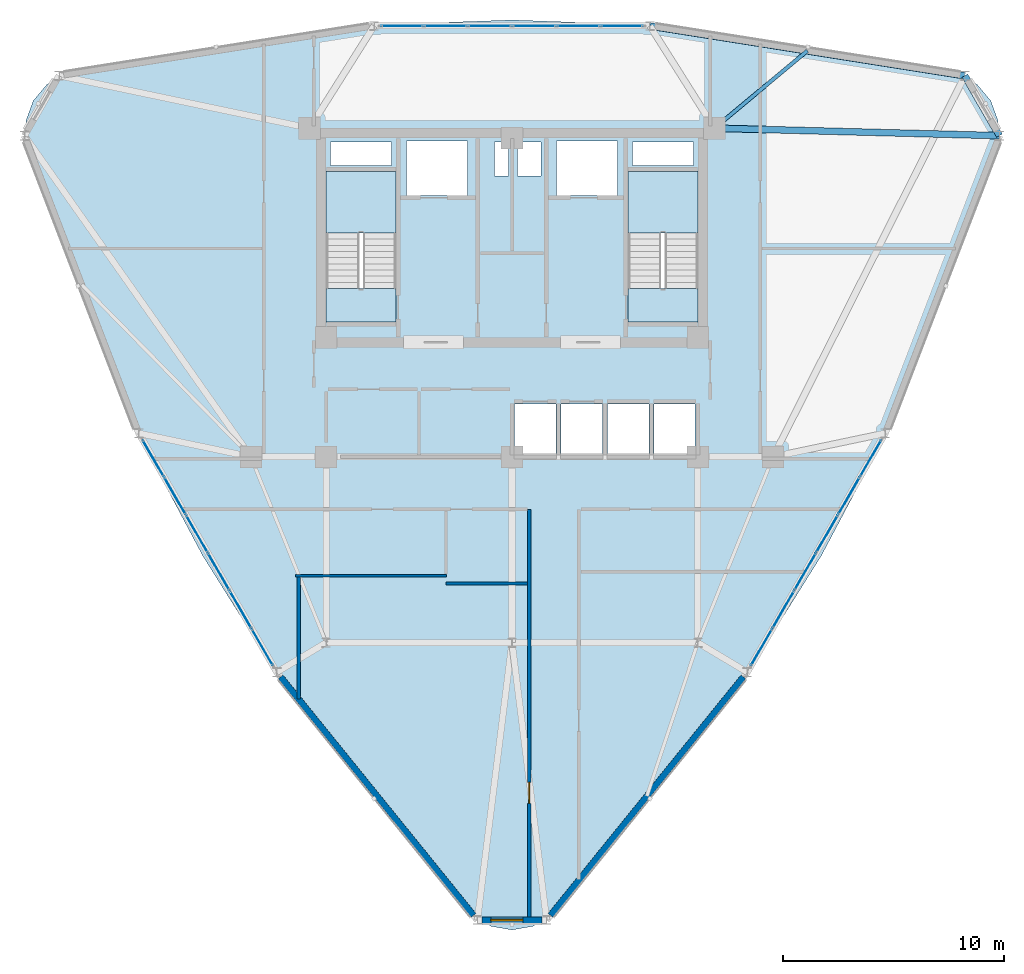
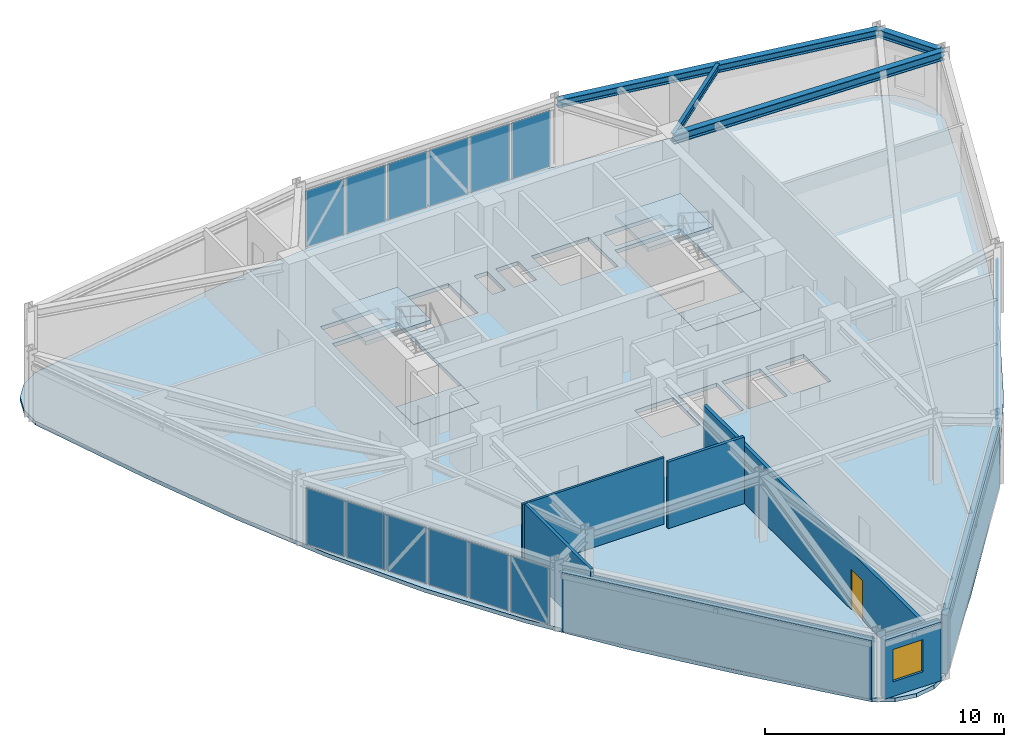
# One storey, part 9 of 14: 18 plates, 7 walls, 5 slabs, 4 beams, 1 door, 1 window, 2 openings, 5 elements without a shape of their own.
"""IFC4 building model written with IfcOpenShell, lengths in metres."""

import ifcopenshell
import ifcopenshell.guid

model = None  # the IFC model being written
_history = None  # IfcOwnerHistory: only IFC2X3 demands one
_inside = {}  # id of a spatial element -> (the spatial element, [elements in it])
_under = {}  # id of a project, library or spatial element -> (it, [spatial elements below it])
_declared = {}  # id of a project -> (the project, [libraries it declares])
_typed = {}  # id of a type object -> (the type object, [elements of that type])
_made_of = {}  # id of a material, layer set ... -> (it, [elements and type objects made of it])


def new_model(schema):
    """Start an empty IFC model of exactly this schema.

    Asked for "IFC4X3", IfcOpenShell would pick the latest addendum, in which some entities
    have other attributes; the version numbers below select the first issue.
    IFC2X3 requires an IfcOwnerHistory on every rooted entity: one is made here for all.
    """
    global model, _history
    if schema == "IFC4X3":
        model = ifcopenshell.file(schema_version=(4, 3, 0, 0))
    else:
        model = ifcopenshell.file(schema=schema)
    _inside.clear()
    _under.clear()
    _declared.clear()
    _typed.clear()
    _made_of.clear()
    _history = None
    if model.schema == "IFC2X3":
        org = make("IfcOrganization", Name="unknown")
        user = make(
            "IfcPersonAndOrganization",
            ThePerson=make("IfcPerson", FamilyName="unknown"),
            TheOrganization=org,
        )
        app = make(
            "IfcApplication",
            ApplicationDeveloper=org,
            Version="unknown",
            ApplicationFullName="unknown",
            ApplicationIdentifier="unknown",
        )
        _history = make(
            "IfcOwnerHistory",
            OwningUser=user,
            OwningApplication=app,
            ChangeAction="ADDED",
            CreationDate=0,
        )
    return model


def make(cls, **values):
    """One entity of the class cls with the attributes given. An attribute that is None is left unset."""
    return model.create_entity(
        cls, **{name: value for name, value in values.items() if value is not None}
    )


def rooted(cls, **values):
    """An entity with a GlobalId (a new one), such as an element, a storey or a relation."""
    return make(cls, GlobalId=ifcopenshell.guid.new(), OwnerHistory=_history, **values)


def si_unit(unit_type, name, prefix=None):
    """IfcSIUnit, for example si_unit("LENGTHUNIT", "METRE", prefix="MILLI")."""
    return make("IfcSIUnit", UnitType=unit_type, Prefix=prefix, Name=name)


def derived_unit(unit_type, elements):
    """IfcDerivedUnit: a product of units, each with its exponent."""
    return make(
        "IfcDerivedUnit",
        Elements=[
            make("IfcDerivedUnitElement", Unit=unit, Exponent=power)
            for unit, power in elements
        ],
        UnitType=unit_type,
    )


def assignment(units):
    """IfcUnitAssignment: the units of a project."""
    return None if units is None else make("IfcUnitAssignment", Units=units)


def point(xyz):
    """IfcCartesianPoint."""
    return None if xyz is None else make("IfcCartesianPoint", Coordinates=xyz)


def direction(xyz):
    """IfcDirection."""
    return None if xyz is None else make("IfcDirection", DirectionRatios=xyz)


def frame(location, z_axis=None, x_axis=None):
    """IfcAxis2Placement3D, a coordinate frame: its origin and axes. An axis left out is left unset."""
    return make(
        "IfcAxis2Placement3D",
        Location=point(location),
        Axis=direction(z_axis),
        RefDirection=direction(x_axis),
    )


def frame_2d(location, x_axis=None):
    """IfcAxis2Placement2D, a coordinate frame in the plane: its origin and x axis."""
    return make(
        "IfcAxis2Placement2D", Location=point(location), RefDirection=direction(x_axis)
    )


def origin():
    """The frame at (0, 0, 0) with its axes left unset."""
    return frame((0.0, 0.0, 0.0))


def origin_2d():
    """The frame at (0, 0) in the plane with its x axis left unset."""
    return frame_2d((0.0, 0.0))


def place(relative_to, where):
    """IfcLocalPlacement: puts the frame where relative to a parent placement (None: the world)."""
    return make(
        "IfcLocalPlacement", PlacementRelTo=relative_to, RelativePlacement=where
    )


def context(
    kind, dimensions, precision=None, world=None, true_north=None, identifier=None
):
    """IfcGeometricRepresentationContext, for example the 3D "Model" context."""
    return make(
        "IfcGeometricRepresentationContext",
        ContextIdentifier=identifier,
        ContextType=kind,
        CoordinateSpaceDimension=dimensions,
        Precision=precision,
        WorldCoordinateSystem=world,
        TrueNorth=true_north,
    )


def subcontext(parent, identifier, kind, view, scale=None):
    """IfcGeometricRepresentationSubContext, for example "Body" below "Model"."""
    return make(
        "IfcGeometricRepresentationSubContext",
        ContextIdentifier=identifier,
        ContextType=kind,
        ParentContext=parent,
        TargetScale=scale,
        TargetView=view,
    )


def project(units=None, contexts=None):
    """IfcProject with its units and contexts."""
    return rooted(
        "IfcProject",
        Name="project",
        RepresentationContexts=contexts,
        UnitsInContext=assignment(units),
    )


def spatial(cls, under=None, at=None, **own):
    """A site, building, storey or space (cls), placed at a placement, below another one or the project."""
    s = rooted(cls, ObjectPlacement=at, **own)
    if under is not None:
        _under.setdefault(under.id(), (under, []))[1].append(s)
    return s


def polyline(points):
    """IfcPolyline through the points."""
    return make("IfcPolyline", Points=[point(p) for p in points])


def profile(cls, at=None, kind="AREA", **sizes):
    """A parametric profile (cls). Its sizes go by their IFC names, for example OverallWidth=200.0."""
    return make(cls, ProfileType=kind, Position=at, **sizes)


def rectangle(**sizes):
    """IfcRectangleProfileDef."""
    return profile("IfcRectangleProfileDef", **sizes)


def i_section(**sizes):
    """IfcIShapeProfileDef."""
    return profile("IfcIShapeProfileDef", **sizes)


def outline(outer, holes=None, kind="AREA"):
    """IfcArbitraryClosedProfileDef: a profile drawn as a closed curve; with holes, ...WithVoids."""
    if holes is None:
        return make("IfcArbitraryClosedProfileDef", ProfileType=kind, OuterCurve=outer)
    return make(
        "IfcArbitraryProfileDefWithVoids",
        ProfileType=kind,
        OuterCurve=outer,
        InnerCurves=holes,
    )


def extrude(swept, where, along, depth):
    """IfcExtrudedAreaSolid: the profile swept, set in the frame where, extruded along a direction by depth."""
    return make(
        "IfcExtrudedAreaSolid",
        SweptArea=swept,
        Position=where,
        ExtrudedDirection=direction(along),
        Depth=depth,
    )


def shape(context_of_items, identifier, shape_type, items):
    """IfcShapeRepresentation: the items that make up one representation, for example the "Body"."""
    return make(
        "IfcShapeRepresentation",
        ContextOfItems=context_of_items,
        RepresentationIdentifier=identifier,
        RepresentationType=shape_type,
        Items=items,
    )


def source(mapping_origin, context_of_items, identifier, shape_type, items):
    """IfcRepresentationMap: a shape defined once, which mapped items show again and again."""
    return make(
        "IfcRepresentationMap",
        MappingOrigin=mapping_origin,
        MappedRepresentation=shape(context_of_items, identifier, shape_type, items),
    )


def transform(
    local_origin,
    x_axis=None,
    y_axis=None,
    z_axis=None,
    scale=None,
    scale2=None,
    scale3=None,
    uniform=True,
):
    """IfcCartesianTransformationOperator3D, or its non-uniform kind. x_axis, y_axis, z_axis: its Axis1, 2, 3."""
    if uniform:
        return make(
            "IfcCartesianTransformationOperator3D",
            Axis1=direction(x_axis),
            Axis2=direction(y_axis),
            LocalOrigin=point(local_origin),
            Scale=scale,
            Axis3=direction(z_axis),
        )
    return make(
        "IfcCartesianTransformationOperator3DnonUniform",
        Axis1=direction(x_axis),
        Axis2=direction(y_axis),
        LocalOrigin=point(local_origin),
        Scale=scale,
        Axis3=direction(z_axis),
        Scale2=scale2,
        Scale3=scale3,
    )


def mapped(mapping_source, mapping_target):
    """IfcMappedItem: shows the shape of a source again, moved by a transform."""
    return make(
        "IfcMappedItem", MappingSource=mapping_source, MappingTarget=mapping_target
    )


def material(Name=None, Category=None):
    """IfcMaterial."""
    return make("IfcMaterial", Name=Name, Category=Category)


def layer(
    of_material, thickness, ventilated=None, Name=None, Category=None, Priority=None
):
    """IfcMaterialLayer: one layer of a wall or slab, of a material (None: an air gap)."""
    return make(
        "IfcMaterialLayer",
        Material=of_material,
        LayerThickness=thickness,
        IsVentilated=ventilated,
        Name=Name,
        Category=Category,
        Priority=Priority,
    )


def layer_set(layers, Name=None):
    """IfcMaterialLayerSet."""
    return make("IfcMaterialLayerSet", MaterialLayers=layers, LayerSetName=Name)


def material_profile(
    of_material, cross_section, Name=None, Category=None, Priority=None
):
    """IfcMaterialProfile: a cross section and its material."""
    return make(
        "IfcMaterialProfile",
        Name=Name,
        Material=of_material,
        Profile=cross_section,
        Priority=Priority,
        Category=Category,
    )


def profile_set(profiles, Name=None, composite=None):
    """IfcMaterialProfileSet."""
    return make(
        "IfcMaterialProfileSet",
        Name=Name,
        MaterialProfiles=profiles,
        CompositeProfile=composite,
    )


def made_of(thing, what):
    """Note that an element or type object is made of a material, layer set ...; save() writes the relation."""
    if what is not None:
        _made_of.setdefault(what.id(), (what, []))[1].append(thing)
    return thing


def type_object(cls, material=None, **own):
    """A type object (cls), such as IfcWallType, which elements share."""
    return made_of(rooted(cls, **own), material)


def element(
    cls,
    number,
    at=None,
    inside=None,
    cuts=None,
    type_object=None,
    material=None,
    context=None,
    identifier="Body",
    shape_type=None,
    held_by="IfcProductDefinitionShape",
    body=None,
    shapes=None,
    **own,
):
    """One element of the class cls, such as IfcWall. Its Tag is "e" and its number.

    at: its placement. inside: the storey or other place that contains it. cuts: it is an
    opening in that element (IfcRelVoidsElement). A single representation is given by context,
    identifier, shape_type and body (its items); several are given by shapes. held_by: the class
    of the entity that holds the representations. save() writes the other relations.
    """
    e = rooted(cls, Tag="e%d" % number, ObjectPlacement=at, **own)
    if body is not None:
        shapes = [shape(context, identifier, shape_type, body)]
    if shapes is not None:
        e.Representation = make(held_by, Representations=shapes)
    if inside is not None:
        _inside.setdefault(inside.id(), (inside, []))[1].append(e)
    if cuts is not None:
        rooted(
            "IfcRelVoidsElement", RelatingBuildingElement=cuts, RelatedOpeningElement=e
        )
    if type_object is not None:
        _typed.setdefault(type_object.id(), (type_object, []))[1].append(e)
    return made_of(e, material)


def fill(opening, filler):
    """IfcRelFillsElement: the door or window that sits in an opening."""
    return rooted(
        "IfcRelFillsElement",
        RelatingOpeningElement=opening,
        RelatedBuildingElement=filler,
    )


def aggregate(whole, parts):
    """IfcRelAggregates: a whole, such as a stair, and the parts it consists of."""
    return rooted("IfcRelAggregates", RelatingObject=whole, RelatedObjects=parts)


def save(model, path):
    """Write the relations noted so far, then the file.

    IfcRelAggregates (storeys below a building ...), IfcRelContainedInSpatialStructure (elements
    in a storey), IfcRelDefinesByType, IfcRelAssociatesMaterial and IfcRelDeclares: one each for
    every whole, place, type object, material and project.
    """
    for whole, parts in _under.values():
        aggregate(whole, parts)
    for where, things in _inside.values():
        rooted(
            "IfcRelContainedInSpatialStructure",
            RelatedElements=things,
            RelatingStructure=where,
        )
    for kind, things in _typed.values():
        rooted("IfcRelDefinesByType", RelatedObjects=things, RelatingType=kind)
    for what, things in _made_of.values():
        rooted("IfcRelAssociatesMaterial", RelatedObjects=things, RelatingMaterial=what)
    for by, libraries in _declared.values():
        rooted("IfcRelDeclares", RelatingContext=by, RelatedDefinitions=libraries)
    model.write(path)


model = new_model("IFC4")

# Units and contexts
model_context = context("Model", 3, precision=1e-05, world=origin(), true_north=direction((0.0, 1.0)))
body_context = subcontext(model_context, "Body", "Model", "MODEL_VIEW")
ifc_project = project(units=[si_unit("LENGTHUNIT", "METRE"), si_unit("AREAUNIT", "SQUARE_METRE"), si_unit("VOLUMEUNIT", "CUBIC_METRE"), si_unit("PLANEANGLEUNIT", "RADIAN"), si_unit("MASSUNIT", "GRAM", prefix="KILO"), derived_unit("THERMALTRANSMITTANCEUNIT", [(si_unit("POWERUNIT", "WATT"), 1), (si_unit("LENGTHUNIT", "METRE"), -2), (si_unit("THERMODYNAMICTEMPERATUREUNIT", "KELVIN"), -1)])], contexts=[model_context])

# Site, building, storey
site_placement = place(None, origin())
site = spatial("IfcSite", under=ifc_project, at=site_placement, CompositionType="ELEMENT")
building_placement = place(site_placement, origin())
building = spatial("IfcBuilding", under=site, at=building_placement, Name="Korsvarv Bourse and Concert Hall", CompositionType="ELEMENT")
storey_placement = place(building_placement, frame((0.0, 0.0, 193.800048828125)))
storey = spatial("IfcBuildingStorey", under=building, at=storey_placement, Name="L50", CompositionType="ELEMENT", Elevation=193.800048828125)

# Beams
ifc_material_1 = material(Name="Steel S355", Category="steel")
ifc_material_profile_1 = material_profile(ifc_material_1, i_section(OverallWidth=0.300048828125, OverallDepth=0.389892578125, WebThickness=0.010986328125, FlangeThickness=0.01904296875, FilletRadius=0.02099609375, at=origin_2d()), Name="HEA 400")
ifc_profile_set_1 = profile_set([ifc_material_profile_1], Name="Steel S355")
beam_type_1 = type_object("IfcBeamType", Name="BM-HEA400", PredefinedType="BEAM", material=ifc_profile_set_1)
shared_shape_1 = source(origin(), body_context, "Body", "SweptSolid", [
    extrude(i_section(OverallWidth=0.300048828125, OverallDepth=0.389892578125, WebThickness=0.010986328125, FlangeThickness=0.01904296875, FilletRadius=0.02099609375, at=origin_2d()), origin(), (0.0, 0.0, 1.0), 3.12939453125),
])
beam_1_placement = place(storey_placement, frame((58.0302734375, 46.912353515625, 3.204833984375), z_axis=(-0.499990325971, 0.866030989016, 0.0), x_axis=(-0.866030989016, -0.499990325971, 0.0)))
element("IfcBeam", 1, at=beam_1_placement, inside=storey, type_object=beam_type_1, Name="L50 beam B-11", PredefinedType="BEAM", context=body_context, shape_type="MappedRepresentation", body=[
    mapped(shared_shape_1, transform((0.0, 0.0, 0.0), scale=1.0)),
])
shared_shape_2 = source(origin(), body_context, "Body", "SweptSolid", [
    extrude(i_section(OverallWidth=0.300048828125, OverallDepth=0.389892578125, WebThickness=0.010986328125, FlangeThickness=0.01904296875, FilletRadius=0.02099609375, at=origin_2d()), origin(), (0.0, 0.0, 1.0), 14.4091796875),
])
beam_2_placement = place(storey_placement, frame((56.465576171875, 49.62255859375, 3.204833984375), z_axis=(-0.987741112202, 0.156100913728, 0.0), x_axis=(-0.156100913728, -0.987741112202, 0.0)))
element("IfcBeam", 2, at=beam_2_placement, inside=storey, type_object=beam_type_1, Name="L50 beam B-11", PredefinedType="BEAM", context=body_context, shape_type="MappedRepresentation", body=[
    mapped(shared_shape_2, transform((0.0, 0.0, 0.0), scale=1.0)),
])
ifc_material_profile_2 = material_profile(ifc_material_1, i_section(OverallWidth=0.300048828125, OverallDepth=0.449951171875, WebThickness=0.013916015625, FlangeThickness=0.02587890625, FilletRadius=0.02099609375, at=origin_2d()), Name="HEB 450")
ifc_profile_set_2 = profile_set([ifc_material_profile_2], Name="Steel S355")
beam_type_2 = type_object("IfcBeamType", Name="BM-HEB450", PredefinedType="SPANDREL", material=ifc_profile_set_2)
shared_shape_3 = source(origin(), body_context, "Body", "SweptSolid", [
    extrude(i_section(OverallWidth=0.300048828125, OverallDepth=0.449951171875, WebThickness=0.013916015625, FlangeThickness=0.02587890625, FilletRadius=0.02099609375, at=origin_2d()), origin(), (0.0, 0.0, 1.0), 12.884765625),
])
beam_3_placement = place(storey_placement, frame((58.0302734375, 46.912353515625, 3.175048828125), z_axis=(-0.999656589191, 0.026205031708, 0.0), x_axis=(-0.026205031708, -0.999656589191, 0.0)))
element("IfcBeam", 3, at=beam_3_placement, inside=storey, type_object=beam_type_2, Name="L50 beam B-08", PredefinedType="SPANDREL", context=body_context, shape_type="MappedRepresentation", body=[
    mapped(shared_shape_3, transform((0.0, 0.0, 0.0), scale=1.0)),
])
ifc_material_profile_3 = material_profile(ifc_material_1, i_section(OverallWidth=0.169921875, OverallDepth=0.360107421875, WebThickness=0.008056640625, FlangeThickness=0.0126953125, FilletRadius=0.01806640625, at=origin_2d()), Name="IPE 360")
ifc_profile_set_3 = profile_set([ifc_material_profile_3], Name="Steel S355")
beam_type_3 = type_object("IfcBeamType", Name="BM-IPE360", PredefinedType="JOIST", material=ifc_profile_set_3)
shared_shape_4 = source(origin(), body_context, "Body", "SweptSolid", [
    extrude(i_section(OverallWidth=0.169921875, OverallDepth=0.360107421875, WebThickness=0.008056640625, FlangeThickness=0.0126953125, FilletRadius=0.01806640625, at=origin_2d()), origin(), (0.0, 0.0, 1.0), 5.465087890625),
])
beam_4_placement = place(storey_placement, frame((49.349365234375, 50.747314453125, 3.219970703125), z_axis=(-0.768422636875, -0.639942693636, 0.0), x_axis=(0.639942693636, -0.768422636875, 0.0)))
element("IfcBeam", 4, at=beam_4_placement, inside=storey, type_object=beam_type_3, Name="L50 beam J-06", PredefinedType="JOIST", context=body_context, shape_type="MappedRepresentation", body=[
    mapped(shared_shape_4, transform((0.0, 0.0, 0.0), scale=1.0)),
])

# Slabs
ifc_material_2 = material(Name="Precast concrete C45/55", Category="concrete")
ifc_layer_1 = layer(ifc_material_2, 0.199951171875)
ifc_layer_set_1 = layer_set([ifc_layer_1], Name="Precast concrete C45/55")
slab_type_1 = type_object("IfcSlabType", Name="SLB-FLND-T", PredefinedType="LANDING", material=ifc_layer_set_1)
slab_1_placement = place(storey_placement, frame((0.0, 0.0, -0.199951171875)))
element("IfcSlab", 5, at=slab_1_placement, inside=storey, type_object=slab_type_1, Name="L50 Stair ST-T1 Floor Landing Slab", PredefinedType="LANDING", context=body_context, shape_type="SweptSolid", body=[
    extrude(outline(polyline([(30.760009765625, 38.5), (30.760009765625, 40.0), (27.60009765625, 40.0), (27.60009765625, 38.5), (30.760009765625, 38.5)])), origin(), (0.0, 0.0, 1.0), 0.199951171875),
])
slab_2_placement = place(storey_placement, frame((0.0, 0.0, -0.199951171875)))
element("IfcSlab", 6, at=slab_2_placement, inside=storey, type_object=slab_type_1, Name="L50 Stair ST-T2 Floor Landing Slab", PredefinedType="LANDING", context=body_context, shape_type="SweptSolid", body=[
    extrude(outline(polyline([(44.39990234375, 38.5), (44.39990234375, 40.0), (41.239990234375, 40.0), (41.239990234375, 38.5), (44.39990234375, 38.5)])), origin(), (0.0, 0.0, 1.0), 0.199951171875),
])

# Stair, slab
stair_type = type_object("IfcStairType", Name="STR-TYPE-04", PredefinedType="HALF_TURN_STAIR", material=ifc_material_2)
stair_1_placement = place(storey_placement, origin())
stair_1 = element("IfcStair", 7, at=stair_1_placement, inside=storey, type_object=stair_type, Name="L50 Tower West Exit Stair ST-T1", PredefinedType="HALF_TURN_STAIR")
ifc_layer_2 = layer(ifc_material_2, 0.199951171875)
ifc_layer_set_2 = layer_set([ifc_layer_2], Name="Precast concrete C45/55")
slab_type_2 = type_object("IfcSlabType", Name="SLB-ST-LND", PredefinedType="LANDING", material=ifc_layer_set_2)
slab_3_placement = place(storey_placement, frame((0.0, 0.0, 1.599853515625)))
slab_3 = element("IfcSlab", 8, at=slab_3_placement, type_object=slab_type_2, Name="ST-T1 landing 1", PredefinedType="LANDING", context=body_context, shape_type="SweptSolid", body=[
    extrude(outline(polyline([(30.760009765625, 42.52001953125), (30.760009765625, 45.300048828125), (27.60009765625, 45.300048828125), (27.60009765625, 42.52001953125), (30.760009765625, 42.52001953125)])), origin(), (0.0, 0.0, 1.0), 0.2001953125),
])
aggregate(stair_1, [slab_3])

stair_2_placement = place(storey_placement, origin())
stair_2 = element("IfcStair", 9, at=stair_2_placement, inside=storey, type_object=stair_type, Name="L50 Tower East Exit Stair ST-T2", PredefinedType="HALF_TURN_STAIR")
slab_4_placement = place(storey_placement, frame((0.0, 0.0, 1.599853515625)))
slab_4 = element("IfcSlab", 10, at=slab_4_placement, type_object=slab_type_2, Name="ST-T2 landing 1", PredefinedType="LANDING", context=body_context, shape_type="SweptSolid", body=[
    extrude(outline(polyline([(44.39990234375, 42.52001953125), (44.39990234375, 45.300048828125), (41.239990234375, 45.300048828125), (41.239990234375, 42.52001953125), (44.39990234375, 42.52001953125)])), origin(), (0.0, 0.0, 1.0), 0.2001953125),
])
aggregate(stair_2, [slab_4])

# Slab
ifc_material_3 = material(Name="Concrete C45/55", Category="concrete")
ifc_layer_3 = layer(ifc_material_3, 0.199951171875)
ifc_layer_set_3 = layer_set([ifc_layer_3], Name="Concrete C45/55")
slab_type_3 = type_object("IfcSlabType", Name="SLB-TW2", PredefinedType="FLOOR", material=ifc_layer_set_3)
slab_5_placement = place(storey_placement, frame((0.0, 0.0, -0.199951171875)))
element("IfcSlab", 11, at=slab_5_placement, inside=storey, type_object=slab_type_3, Name="L50 tower structural floor slab", PredefinedType="FLOOR", context=body_context, shape_type="SweptSolid", body=[
    extrude(outline(polyline([(57.580810546875, 45.571044921875), (55.926025390625, 40.9873046875), (54.166015625, 36.489013671875), (52.205078125, 32.126953125), (49.977294921875, 27.93017578125), (47.45654296875, 23.902587890625), (44.659423828125, 20.023193359375), (41.64404296875, 16.25), (38.501708984375, 12.52490234375), (38.5, 12.523193359375), (37.781494140625, 11.6669921875), (36.947998046875, 11.185791015625), (36.0, 11.0185546875), (35.052001953125, 11.185791015625), (34.218505859375, 11.6669921875), (33.5, 12.523193359375), (33.498291015625, 12.52490234375), (30.35595703125, 16.25), (27.340576171875, 20.023193359375), (24.54345703125, 23.902587890625), (22.022705078125, 27.93017578125), (19.794921875, 32.126953125), (17.833984375, 36.489013671875), (16.073974609375, 40.9873046875), (14.419189453125, 45.571044921875), (14.41845703125, 45.5732421875), (14.0361328125, 46.62353515625), (14.0361328125, 47.586181640625), (14.365478515625, 48.49072265625), (14.984130859375, 49.22802734375), (15.81787109375, 49.70947265625), (16.918701171875, 49.903564453125), (16.9208984375, 49.904052734375), (21.718017578125, 50.762939453125), (26.493408203125, 51.48779296875), (31.251708984375, 51.970458984375), (36.0, 52.1396484375), (40.748291015625, 51.970458984375), (45.506591796875, 51.48779296875), (50.281982421875, 50.762939453125), (55.0791015625, 49.904052734375), (55.081298828125, 49.903564453125), (56.18212890625, 49.70947265625), (57.015869140625, 49.22802734375), (57.634521484375, 48.49072265625), (57.9638671875, 47.586181640625), (57.9638671875, 46.62353515625), (57.58154296875, 45.5732421875), (57.580810546875, 45.571044921875)]), holes=[polyline([(30.760009765625, 38.5), (30.760009765625, 45.300048828125), (27.60009765625, 45.300048828125), (27.60009765625, 38.5), (30.760009765625, 38.5)]), polyline([(44.39990234375, 38.5), (44.39990234375, 45.300048828125), (41.239990234375, 45.300048828125), (41.239990234375, 38.5), (44.39990234375, 38.5)]), polyline([(31.239990234375, 44.219970703125), (34.0, 44.219970703125), (34.0, 46.679931640625), (31.239990234375, 46.679931640625), (31.239990234375, 44.219970703125)]), polyline([(38.0, 44.219970703125), (40.760009765625, 44.219970703125), (40.760009765625, 46.679931640625), (38.0, 46.679931640625), (38.0, 44.219970703125)]), polyline([(36.1201171875, 32.52001953125), (37.97998046875, 32.52001953125), (37.97998046875, 34.780029296875), (36.1201171875, 34.780029296875), (36.1201171875, 32.52001953125)]), polyline([(38.219970703125, 32.52001953125), (40.080078125, 32.52001953125), (40.080078125, 34.780029296875), (38.219970703125, 34.780029296875), (38.219970703125, 32.52001953125)]), polyline([(40.320068359375, 32.52001953125), (42.179931640625, 32.52001953125), (42.179931640625, 34.780029296875), (40.320068359375, 34.780029296875), (40.320068359375, 32.52001953125)]), polyline([(42.419921875, 32.52001953125), (44.280029296875, 32.52001953125), (44.280029296875, 34.780029296875), (42.419921875, 34.780029296875), (42.419921875, 32.52001953125)]), polyline([(27.800048828125, 45.56005859375), (30.56005859375, 45.56005859375), (30.56005859375, 46.6201171875), (27.800048828125, 46.6201171875), (27.800048828125, 45.56005859375)]), polyline([(41.43994140625, 45.56005859375), (44.199951171875, 45.56005859375), (44.199951171875, 46.6201171875), (41.43994140625, 46.6201171875), (41.43994140625, 45.56005859375)]), polyline([(35.199951171875, 45.080078125), (35.840087890625, 45.080078125), (35.840087890625, 46.6201171875), (35.199951171875, 46.6201171875), (35.199951171875, 45.080078125)]), polyline([(36.239990234375, 45.080078125), (37.320068359375, 45.080078125), (37.320068359375, 46.6201171875), (36.239990234375, 46.6201171875), (36.239990234375, 45.080078125)])]), origin(), (0.0, 0.0, 1.0), 0.199951171875),
])

# Curtain wall, plates
ifc_material_4 = material(Name="Anodised aluminium and triple low-E glazing", Category="glass")
ifc_layer_4 = layer(ifc_material_4, 0.199951171875)
ifc_layer_set_4 = layer_set([ifc_layer_4], Name="Anodised aluminium and triple low-E glazing")
curtain_wall_type = type_object("IfcCurtainWallType", Name="CW-SYS-3", PredefinedType="NOTDEFINED", material=ifc_layer_set_4)
curtain_wall_1_placement = place(storey_placement, origin())
curtain_wall_1 = element("IfcCurtainWall", 12, at=curtain_wall_1_placement, inside=storey, type_object=curtain_wall_type, Name="L50 CW3 curtain wall CW-L50-F03", PredefinedType="NOTDEFINED")
ifc_material_5 = material(Name="Tempered triple insulated low-E architectural glass", Category="glass")
ifc_layer_5 = layer(ifc_material_5, 0.0380859375)
ifc_layer_set_5 = layer_set([ifc_layer_5], Name="Tempered triple insulated low-E architectural glass")
plate_type_1 = type_object("IfcPlateType", Name="CWP-VIS2", PredefinedType="CURTAIN_PANEL", material=ifc_layer_set_5)
shared_shape_5 = source(origin(), body_context, "Body", "SweptSolid", [
    extrude(rectangle(XDim=1.888427734375, YDim=0.0380859375, at=origin_2d()), origin(), (0.0, 0.0, 1.0), 2.8798828125),
])
plate_1_placement = place(storey_placement, frame((40.9658203125, 51.871826171875, 0.06494140625), z_axis=(0.0, 0.0, 1.0), x_axis=(-1.0, 0.0, 0.0)))
plate_1 = element("IfcPlate", 13, at=plate_1_placement, type_object=plate_type_1, Name="CW3 faceted panel 1.1", PredefinedType="CURTAIN_PANEL", context=body_context, shape_type="MappedRepresentation", body=[
    mapped(shared_shape_5, transform((0.0, 0.0, 0.0), scale=1.0)),
])
shared_shape_6 = source(origin(), body_context, "Body", "SweptSolid", [
    extrude(rectangle(XDim=1.92333984375, YDim=0.0380859375, at=origin_2d()), origin(), (0.0, 0.0, 1.0), 2.8798828125),
])
plate_2_placement = place(storey_placement, frame((38.989990234375, 51.871826171875, 0.06494140625), z_axis=(0.0, 0.0, 1.0), x_axis=(-1.0, 0.0, 0.0)))
plate_2 = element("IfcPlate", 14, at=plate_2_placement, type_object=plate_type_1, Name="CW3 faceted panel 2.1", PredefinedType="CURTAIN_PANEL", context=body_context, shape_type="MappedRepresentation", body=[
    mapped(shared_shape_6, transform((0.0, 0.0, 0.0), scale=1.0)),
])
plate_3_placement = place(storey_placement, frame((35.00341796875, 51.871826171875, 0.06494140625), z_axis=(0.0, 0.0, 1.0), x_axis=(-1.0, 0.0, 0.0)))
plate_3 = element("IfcPlate", 15, at=plate_3_placement, type_object=plate_type_1, Name="CW3 faceted panel 4.1", PredefinedType="CURTAIN_PANEL", context=body_context, shape_type="MappedRepresentation", body=[
    mapped(shared_shape_6, transform((0.0, 0.0, 0.0), scale=1.0)),
])
plate_4_placement = place(storey_placement, frame((33.010009765625, 51.871826171875, 0.06494140625), z_axis=(0.0, 0.0, 1.0), x_axis=(-1.0, 0.0, 0.0)))
plate_4 = element("IfcPlate", 16, at=plate_4_placement, type_object=plate_type_1, Name="CW3 faceted panel 5.1", PredefinedType="CURTAIN_PANEL", context=body_context, shape_type="MappedRepresentation", body=[
    mapped(shared_shape_6, transform((0.0, 0.0, 0.0), scale=1.0)),
])
ifc_material_6 = material(Name="Insulated spandrel glass", Category="glass")
ifc_layer_6 = layer(ifc_material_6, 0.031982421875)
ifc_layer_set_6 = layer_set([ifc_layer_6], Name="Insulated spandrel glass")
plate_type_2 = type_object("IfcPlateType", Name="CWP-SPD1", PredefinedType="CURTAIN_PANEL", material=ifc_layer_set_6)
shared_shape_7 = source(origin(), body_context, "Body", "SweptSolid", [
    extrude(rectangle(XDim=1.92333984375, YDim=0.031982421875, at=origin_2d()), origin(), (0.0, 0.0, 1.0), 2.8798828125),
])
plate_5_placement = place(storey_placement, frame((36.99658203125, 51.871826171875, 0.06494140625), z_axis=(0.0, 0.0, 1.0), x_axis=(-1.0, 0.0, 0.0)))
plate_5 = element("IfcPlate", 17, at=plate_5_placement, type_object=plate_type_2, Name="CW3 spandrel shadow-box panel 3.1", PredefinedType="CURTAIN_PANEL", context=body_context, shape_type="MappedRepresentation", body=[
    mapped(shared_shape_7, transform((0.0, 0.0, 0.0), scale=1.0)),
])
shared_shape_8 = source(origin(), body_context, "Body", "SweptSolid", [
    extrude(rectangle(XDim=1.888427734375, YDim=0.031982421875, at=origin_2d()), origin(), (0.0, 0.0, 1.0), 2.8798828125),
])
plate_6_placement = place(storey_placement, frame((31.0341796875, 51.871826171875, 0.06494140625), z_axis=(0.0, 0.0, 1.0), x_axis=(-1.0, 0.0, 0.0)))
plate_6 = element("IfcPlate", 18, at=plate_6_placement, type_object=plate_type_2, Name="CW3 spandrel shadow-box panel 6.1", PredefinedType="CURTAIN_PANEL", context=body_context, shape_type="MappedRepresentation", body=[
    mapped(shared_shape_8, transform((0.0, 0.0, 0.0), scale=1.0)),
])
aggregate(curtain_wall_1, [plate_1, plate_2, plate_5, plate_3, plate_4, plate_6])

# Curtain wall, plate
curtain_wall_2_placement = place(storey_placement, origin())
curtain_wall_2 = element("IfcCurtainWall", 19, at=curtain_wall_2_placement, inside=storey, type_object=curtain_wall_type, Name="L50 CW3 curtain wall CW-L50-F07", PredefinedType="NOTDEFINED")
shared_shape_9 = source(origin(), body_context, "Body", "SweptSolid", [
    extrude(rectangle(XDim=1.873291015625, YDim=0.0380859375, at=origin_2d()), origin(), (0.0, 0.0, 1.0), 2.8798828125),
])
plate_7_placement = place(storey_placement, frame((19.79052734375, 32.332275390625, 0.06494140625), z_axis=(0.0, 0.0, 1.0), x_axis=(0.499992512708, -0.866029726531, 0.0)))
plate_7 = element("IfcPlate", 20, at=plate_7_placement, type_object=plate_type_1, Name="CW3 faceted panel 1.1", PredefinedType="CURTAIN_PANEL", context=body_context, shape_type="MappedRepresentation", body=[
    mapped(shared_shape_9, transform((0.0, 0.0, 0.0), scale=1.0)),
])

curtain_wall_3_placement = place(storey_placement, origin())
curtain_wall_3 = element("IfcCurtainWall", 21, at=curtain_wall_3_placement, inside=storey, type_object=curtain_wall_type, Name="L50 CW3 curtain wall CW-L50-F11", PredefinedType="NOTDEFINED")
plate_8_placement = place(storey_placement, frame((47.28125, 23.7958984375, 0.06494140625), z_axis=(0.0, 0.0, 1.0), x_axis=(0.499992512708, 0.866029726531, 0.0)))
plate_8 = element("IfcPlate", 22, at=plate_8_placement, type_object=plate_type_1, Name="CW3 faceted panel 1.1", PredefinedType="CURTAIN_PANEL", context=body_context, shape_type="MappedRepresentation", body=[
    mapped(shared_shape_9, transform((0.0, 0.0, 0.0), scale=1.0)),
])

# Plate
shared_shape_10 = source(origin(), body_context, "Body", "SweptSolid", [
    extrude(rectangle(XDim=1.908447265625, YDim=0.0380859375, at=origin_2d()), origin(), (0.0, 0.0, 1.0), 2.8798828125),
])
plate_9_placement = place(storey_placement, frame((20.77099609375, 30.63427734375, 0.06494140625), z_axis=(0.0, 0.0, 1.0), x_axis=(0.499992512708, -0.866029726531, 0.0)))
plate_9 = element("IfcPlate", 23, at=plate_9_placement, type_object=plate_type_1, Name="CW3 faceted panel 2.1", PredefinedType="CURTAIN_PANEL", context=body_context, shape_type="MappedRepresentation", body=[
    mapped(shared_shape_10, transform((0.0, 0.0, 0.0), scale=1.0)),
])

plate_10_placement = place(storey_placement, frame((22.749267578125, 27.20751953125, 0.06494140625), z_axis=(0.0, 0.0, 1.0), x_axis=(0.499992512708, -0.866029726531, 0.0)))
plate_10 = element("IfcPlate", 24, at=plate_10_placement, type_object=plate_type_1, Name="CW3 faceted panel 4.1", PredefinedType="CURTAIN_PANEL", context=body_context, shape_type="MappedRepresentation", body=[
    mapped(shared_shape_10, transform((0.0, 0.0, 0.0), scale=1.0)),
])

plate_11_placement = place(storey_placement, frame((23.738525390625, 25.494140625, 0.06494140625), z_axis=(0.0, 0.0, 1.0), x_axis=(0.499992512708, -0.866029726531, 0.0)))
plate_11 = element("IfcPlate", 25, at=plate_11_placement, type_object=plate_type_1, Name="CW3 faceted panel 5.1", PredefinedType="CURTAIN_PANEL", context=body_context, shape_type="MappedRepresentation", body=[
    mapped(shared_shape_10, transform((0.0, 0.0, 0.0), scale=1.0)),
])

plate_12_placement = place(storey_placement, frame((48.261474609375, 25.494140625, 0.06494140625), z_axis=(0.0, 0.0, 1.0), x_axis=(0.499992512708, 0.866029726531, 0.0)))
plate_12 = element("IfcPlate", 26, at=plate_12_placement, type_object=plate_type_1, Name="CW3 faceted panel 2.1", PredefinedType="CURTAIN_PANEL", context=body_context, shape_type="MappedRepresentation", body=[
    mapped(shared_shape_10, transform((0.0, 0.0, 0.0), scale=1.0)),
])

plate_13_placement = place(storey_placement, frame((50.239990234375, 28.9208984375, 0.06494140625), z_axis=(0.0, 0.0, 1.0), x_axis=(0.499992512708, 0.866029726531, 0.0)))
plate_13 = element("IfcPlate", 27, at=plate_13_placement, type_object=plate_type_1, Name="CW3 faceted panel 4.1", PredefinedType="CURTAIN_PANEL", context=body_context, shape_type="MappedRepresentation", body=[
    mapped(shared_shape_10, transform((0.0, 0.0, 0.0), scale=1.0)),
])

plate_14_placement = place(storey_placement, frame((51.22900390625, 30.63427734375, 0.06494140625), z_axis=(0.0, 0.0, 1.0), x_axis=(0.499992512708, 0.866029726531, 0.0)))
plate_14 = element("IfcPlate", 28, at=plate_14_placement, type_object=plate_type_1, Name="CW3 faceted panel 5.1", PredefinedType="CURTAIN_PANEL", context=body_context, shape_type="MappedRepresentation", body=[
    mapped(shared_shape_10, transform((0.0, 0.0, 0.0), scale=1.0)),
])

shared_shape_11 = source(origin(), body_context, "Body", "SweptSolid", [
    extrude(rectangle(XDim=1.908447265625, YDim=0.031982421875, at=origin_2d()), origin(), (0.0, 0.0, 1.0), 2.8798828125),
])
plate_15_placement = place(storey_placement, frame((21.760009765625, 28.9208984375, 0.06494140625), z_axis=(0.0, 0.0, 1.0), x_axis=(0.499992512708, -0.866029726531, 0.0)))
plate_15 = element("IfcPlate", 29, at=plate_15_placement, type_object=plate_type_2, Name="CW3 spandrel shadow-box panel 3.1", PredefinedType="CURTAIN_PANEL", context=body_context, shape_type="MappedRepresentation", body=[
    mapped(shared_shape_11, transform((0.0, 0.0, 0.0), scale=1.0)),
])

plate_16_placement = place(storey_placement, frame((49.250732421875, 27.20751953125, 0.06494140625), z_axis=(0.0, 0.0, 1.0), x_axis=(0.499992512708, 0.866029726531, 0.0)))
plate_16 = element("IfcPlate", 30, at=plate_16_placement, type_object=plate_type_2, Name="CW3 spandrel shadow-box panel 3.1", PredefinedType="CURTAIN_PANEL", context=body_context, shape_type="MappedRepresentation", body=[
    mapped(shared_shape_11, transform((0.0, 0.0, 0.0), scale=1.0)),
])

shared_shape_12 = source(origin(), body_context, "Body", "SweptSolid", [
    extrude(rectangle(XDim=1.873291015625, YDim=0.031982421875, at=origin_2d()), origin(), (0.0, 0.0, 1.0), 2.8798828125),
])
plate_17_placement = place(storey_placement, frame((24.71875, 23.7958984375, 0.06494140625), z_axis=(0.0, 0.0, 1.0), x_axis=(0.499992512708, -0.866029726531, 0.0)))
plate_17 = element("IfcPlate", 31, at=plate_17_placement, type_object=plate_type_2, Name="CW3 spandrel shadow-box panel 6.1", PredefinedType="CURTAIN_PANEL", context=body_context, shape_type="MappedRepresentation", body=[
    mapped(shared_shape_12, transform((0.0, 0.0, 0.0), scale=1.0)),
])

aggregate(curtain_wall_2, [plate_7, plate_9, plate_15, plate_10, plate_11, plate_17])

plate_18_placement = place(storey_placement, frame((52.20947265625, 32.332275390625, 0.06494140625), z_axis=(0.0, 0.0, 1.0), x_axis=(0.499992512708, 0.866029726531, 0.0)))
plate_18 = element("IfcPlate", 32, at=plate_18_placement, type_object=plate_type_2, Name="CW3 spandrel shadow-box panel 6.1", PredefinedType="CURTAIN_PANEL", context=body_context, shape_type="MappedRepresentation", body=[
    mapped(shared_shape_12, transform((0.0, 0.0, 0.0), scale=1.0)),
])

aggregate(curtain_wall_3, [plate_8, plate_12, plate_16, plate_13, plate_14, plate_18])

# Wall, opening, window
ifc_material_7 = material(Name="Precast concrete C45/55 with terracotta rainscreen", Category="concrete")
ifc_layer_7 = layer(ifc_material_7, 0.300048828125)
ifc_layer_set_7 = layer_set([ifc_layer_7], Name="Precast concrete C45/55 with terracotta rainscreen")
wall_type_1 = type_object("IfcWallType", Name="WL-EXT-TC1", PredefinedType="SOLIDWALL", material=ifc_layer_set_7)
wall_1_placement = place(storey_placement, frame((34.643310546875, 11.465087890625, 0.0), z_axis=(0.0, 0.0, 1.0), x_axis=(1.0, 0.0, 0.0)))
wall_1 = element("IfcWall", 33, at=wall_1_placement, inside=storey, type_object=wall_type_1, Name="L50 terracotta exterior wall EW-L50-B09", PredefinedType="SOLIDWALL", context=body_context, shape_type="SweptSolid", body=[
    extrude(rectangle(XDim=2.71337890625, YDim=0.300048828125, at=frame_2d((1.356689453125, 0.0))), origin(), (0.0, 0.0, 1.0), 3.010009765625),
])
opening_1_placement = place(wall_1_placement, frame((0.39990234375, 0.0, 0.75)))
opening_1 = element("IfcOpeningElement", 34, at=opening_1_placement, cuts=wall_1, Name="Opening W-02", PredefinedType="OPENING", context=body_context, shape_type="SweptSolid", body=[
    extrude(rectangle(XDim=1.449951171875, YDim=1.64990234375, at=frame_2d((0.72509765625, 0.824951171875))), frame((0.0, 0.16015625, 0.0), z_axis=(0.0, -1.0, 0.0), x_axis=(1.0, 0.0, 0.0)), (0.0, 0.0, 1.0), 0.320068359375),
])
ifc_material_8 = material(Name="Thermally broken aluminium frame with triple low-E glass", Category="glass")
window_type = type_object("IfcWindowType", Name="WIN-TW2", PartitioningType="SINGLE_PANEL", PredefinedType="WINDOW", material=ifc_material_8)
window_placement = place(opening_1_placement, origin())
window = element("IfcWindow", 35, at=window_placement, inside=storey, type_object=window_type, Name="L50 punched facade window W-02", OverallHeight=1.64990234375, OverallWidth=1.449951171875, PartitioningType="SINGLE_PANEL", PredefinedType="WINDOW", context=body_context, shape_type="SweptSolid", body=[
    extrude(rectangle(XDim=1.449951171875, YDim=1.64990234375, at=frame_2d((0.72509765625, 0.824951171875))), frame((0.0, 0.030029296875, 0.0), z_axis=(0.0, -1.0, 0.0), x_axis=(1.0, 0.0, 0.0)), (0.0, 0.0, 1.0), 0.06005859375),
])
fill(opening_1, window)

# Walls
ifc_material_9 = material(Name="Precast concrete C45/55 with fluted terracotta pier", Category="concrete")
ifc_layer_8 = layer(ifc_material_9, 0.280029296875)
ifc_layer_set_8 = layer_set([ifc_layer_8], Name="Precast concrete C45/55 with fluted terracotta pier")
wall_type_2 = type_object("IfcWallType", Name="WL-EXT-TC2", PredefinedType="SOLIDWALL", material=ifc_layer_set_8)
for number, where, z_axis, x_axis, name in (
    (36, (25.543701171875, 22.453125, 0.0), (0.0, 0.0, 1.0), (0.629045703635, -0.777368318584, 0.0), "L50 terracotta exterior wall EW-L50-B08"),
    (37, (37.737060546875, 11.677978515625, 0.0), (0.0, 0.0, 1.0), (0.629045703635, 0.777368318584, 0.0), "L50 terracotta exterior wall EW-L50-B10"),
):
    element("IfcWall", number, at=place(storey_placement, frame(where, z_axis=z_axis, x_axis=x_axis)), inside=storey, type_object=wall_type_2, Name=name, PredefinedType="SOLIDWALL", context=body_context, shape_type="SweptSolid", body=[
        extrude(rectangle(XDim=13.861083984375, YDim=0.280029296875, at=frame_2d((6.9306640625, 0.0))), origin(), (0.0, 0.0, 1.0), 3.010009765625),
    ])

# Wall, opening, door
ifc_material_10 = material(Name="Double-stud fire-rated acoustic partition", Category="gypsum")
ifc_layer_9 = layer(ifc_material_10, 0.159912109375)
ifc_layer_set_9 = layer_set([ifc_layer_9], Name="Double-stud fire-rated acoustic partition")
wall_type_3 = type_object("IfcWallType", Name="WL-INT-EI60", PredefinedType="PARTITIONING", material=ifc_layer_set_9)
wall_2_placement = place(storey_placement, frame((36.77490234375, 11.485107421875, 0.0), z_axis=(0.0, 0.0, 1.0), x_axis=(0.0, 1.0, 0.0)))
wall_2 = element("IfcWall", 38, at=wall_2_placement, inside=storey, type_object=wall_type_3, Name="L50 interior partition wall W-L50-TCOR-03", PredefinedType="PARTITIONING", context=body_context, shape_type="SweptSolid", body=[
    extrude(rectangle(XDim=18.544921875, YDim=0.159912109375, at=frame_2d((9.2724609375, 0.0))), origin(), (0.0, 0.0, 1.0), 2.949951171875),
])
opening_2_placement = place(wall_2_placement, frame((5.248779296875, 0.0, 0.0)))
opening_2 = element("IfcOpeningElement", 39, at=opening_2_placement, cuts=wall_2, Name="Opening D-02", PredefinedType="OPENING", context=body_context, shape_type="SweptSolid", body=[
    extrude(rectangle(XDim=0.949951171875, YDim=2.050048828125, at=frame_2d((0.47509765625, 1.02490234375))), frame((0.0, 0.08984375, 0.0), z_axis=(0.0, -1.0, 0.0), x_axis=(1.0, 0.0, 0.0)), (0.0, 0.0, 1.0), 0.179931640625),
])
ifc_material_11 = material(Name="Timber and steel acoustic fire door", Category="wood")
door_type = type_object("IfcDoorType", Name="DR-FD30", OperationType="NOTDEFINED", PredefinedType="DOOR", material=ifc_material_11)
door_placement = place(opening_2_placement, origin())
door = element("IfcDoor", 40, at=door_placement, inside=storey, type_object=door_type, Name="L50 interior door DR-L50-TCOR-FN37", OperationType="SINGLE_SWING_LEFT", OverallHeight=2.050048828125, OverallWidth=0.949951171875, PredefinedType="DOOR", context=body_context, shape_type="SweptSolid", body=[
    extrude(rectangle(XDim=0.949951171875, YDim=2.050048828125, at=frame_2d((0.47509765625, 1.02490234375))), frame((0.0, 0.02490234375, 0.0), z_axis=(0.0, -1.0, 0.0), x_axis=(1.0, 0.0, 0.0)), (0.0, 0.0, 1.0), 0.050048828125),
])
fill(opening_2, door)

# Walls
ifc_material_12 = material(Name="Demountable acoustic glass and aluminium dealing partition", Category="aluminium")
ifc_layer_10 = layer(ifc_material_12, 0.110107421875)
ifc_layer_set_10 = layer_set([ifc_layer_10], Name="Demountable acoustic glass and aluminium dealing partition")
wall_type_4 = type_object("IfcWallType", Name="WL-INT-MOV", PredefinedType="MOVABLE", material=ifc_layer_set_10)
wall_3_placement = place(storey_placement, frame((26.2099609375, 27.034912109375, 0.0), z_axis=(0.0, 0.0, 1.0), x_axis=(1.0, 0.0, 0.0)))
element("IfcWall", 41, at=wall_3_placement, inside=storey, type_object=wall_type_4, Name="L50 interior partition wall W-L50-TCOR-14", PredefinedType="MOVABLE", context=body_context, shape_type="SweptSolid", body=[
    extrude(rectangle(XDim=6.830078125, YDim=0.110107421875, at=frame_2d((3.4150390625, 0.0))), origin(), (0.0, 0.0, 1.0), 3.39990234375),
])
ifc_material_13 = material(Name="Insulated steel-stud office acoustic partition", Category="gypsum")
ifc_layer_11 = layer(ifc_material_13, 0.139892578125)
ifc_layer_set_11 = layer_set([ifc_layer_11], Name="Insulated steel-stud office acoustic partition")
wall_type_5 = type_object("IfcWallType", Name="WL-INT-P1", PredefinedType="PARTITIONING", material=ifc_layer_set_11)
wall_4_placement = place(storey_placement, frame((26.364990234375, 21.4580078125, 0.0), z_axis=(0.0, 0.0, 1.0), x_axis=(0.0, 1.0, 0.0)))
element("IfcWall", 42, at=wall_4_placement, inside=storey, type_object=wall_type_5, Name="L50 interior partition wall W-L50-TCOR-15", PredefinedType="PARTITIONING", context=body_context, shape_type="SweptSolid", body=[
    extrude(rectangle(XDim=5.5048828125, YDim=0.139892578125, at=frame_2d((2.75244140625, 0.0))), origin(), (0.0, 0.0, 1.0), 3.39990234375),
])
wall_5_placement = place(storey_placement, frame((33.02001953125, 26.675048828125, 0.0), z_axis=(0.0, 0.0, 1.0), x_axis=(1.0, 0.0, 0.0)))
element("IfcWall", 43, at=wall_5_placement, inside=storey, type_object=wall_type_5, Name="L50 interior partition wall W-L50-TCOR-16", PredefinedType="PARTITIONING", context=body_context, shape_type="SweptSolid", body=[
    extrude(rectangle(XDim=3.673095703125, YDim=0.139892578125, at=frame_2d((1.83642578125, 0.0))), origin(), (0.0, 0.0, 1.0), 3.39990234375),
])

save(model, "model.ifc")
